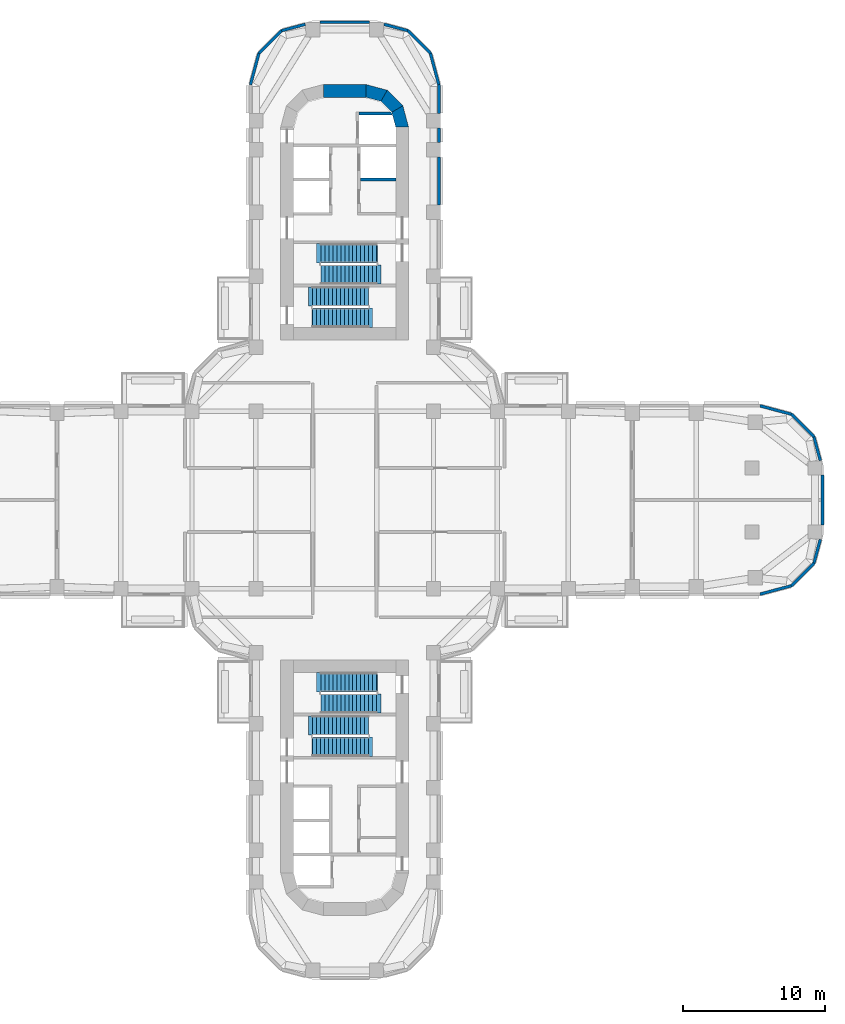
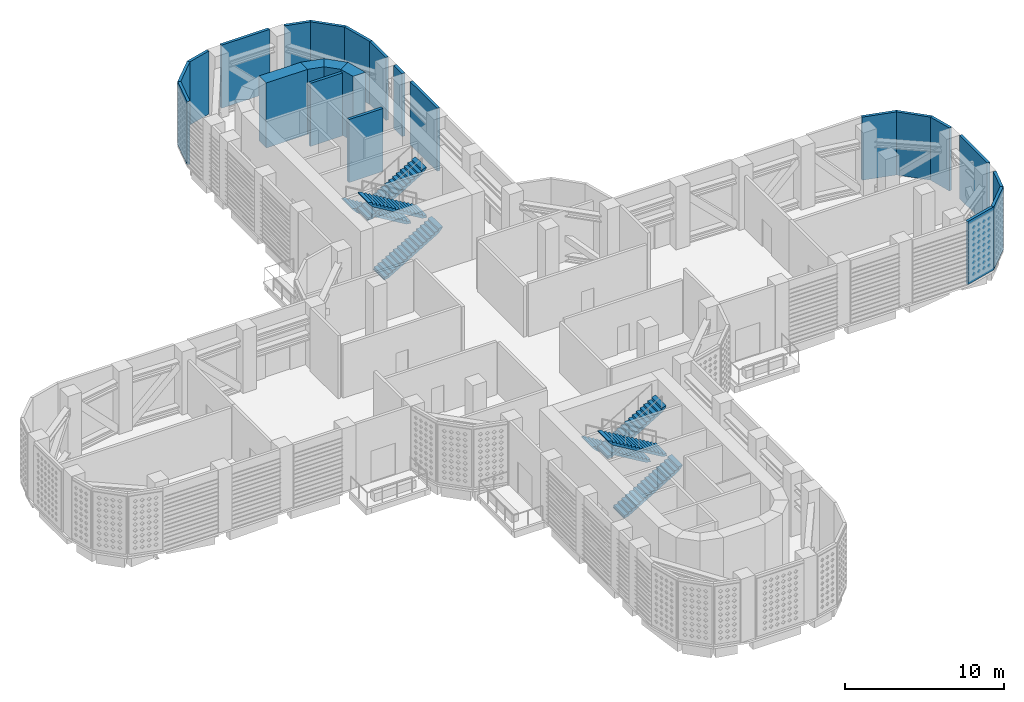
# One storey, part 8 of 20: 23 walls, 8 stair flights, 4 elements without a shape of their own.
"""IFC4 building model written with IfcOpenShell, lengths in metres."""

from ifc_helpers import new_model, si_unit, direction, frame, frame_2d, origin, place, context, subcontext, project, spatial, polyline, rectangle, outline, extrude, material, layer, layer_set, type_object, element, aggregate, save


model = new_model("IFC4")

# Units and contexts
model_context = context("Model", 3, precision=1e-05, world=origin(), true_north=direction((0.0, 1.0)))
body_context = subcontext(model_context, "Body", "Model", "MODEL_VIEW")
ifc_project = project(units=[si_unit("LENGTHUNIT", "METRE"), si_unit("AREAUNIT", "SQUARE_METRE"), si_unit("VOLUMEUNIT", "CUBIC_METRE"), si_unit("PLANEANGLEUNIT", "RADIAN"), si_unit("MASSUNIT", "GRAM", prefix="KILO")], contexts=[model_context])

# Site, building, storey
site_placement = place(None, origin())
site = spatial("IfcSite", under=ifc_project, at=site_placement, CompositionType="ELEMENT")
building_placement = place(site_placement, origin())
building = spatial("IfcBuilding", under=site, at=building_placement, Name="Zarbagh Exchange Tower", CompositionType="ELEMENT")
storey_placement = place(building_placement, frame((0.0, 0.0, 81.60009765625)))
storey = spatial("IfcBuildingStorey", under=building, at=storey_placement, Name="L18", CompositionType="ELEMENT", Elevation=81.60009765625)

# Walls
ifc_material_1 = material(Name="Precast concrete C50/60", Category="concrete")
ifc_layer_1 = layer(ifc_material_1, 0.199951171875)
ifc_layer_set_1 = layer_set([ifc_layer_1], Name="Plant wall, precast concrete C50/60")
wall_type_1 = type_object("IfcWallType", Name="Plant wall, precast concrete C50/60", PredefinedType="SOLIDWALL", material=ifc_layer_set_1)
wall_1_placement = place(storey_placement, origin())
element("IfcWall", 1, at=wall_1_placement, inside=storey, type_object=wall_type_1, Name="PW09 plant wall", PredefinedType="SOLIDWALL", context=body_context, shape_type="SweptSolid", body=[
    extrude(outline(polyline([(29.247314453125, -6.72998046875), (31.48974609375, -6.129150390625), (31.38623046875, -5.949951171875), (29.220947265625, -6.530029296875), (29.247314453125, -6.72998046875)])), origin(), (0.0, 0.0, 1.0), 4.849853515625),
])
wall_2_placement = place(storey_placement, origin())
element("IfcWall", 2, at=wall_2_placement, inside=storey, type_object=wall_type_1, Name="PW10 plant wall", PredefinedType="SOLIDWALL", context=body_context, shape_type="SweptSolid", body=[
    extrude(outline(polyline([(31.48974609375, -6.129150390625), (33.129150390625, -4.48974609375), (32.949951171875, -4.38623046875), (31.38623046875, -5.949951171875), (31.48974609375, -6.129150390625)])), origin(), (0.0, 0.0, 1.0), 4.849853515625),
])
wall_3_placement = place(storey_placement, origin())
element("IfcWall", 3, at=wall_3_placement, inside=storey, type_object=wall_type_1, Name="PW11 plant wall", PredefinedType="SOLIDWALL", context=body_context, shape_type="SweptSolid", body=[
    extrude(outline(polyline([(33.129150390625, -4.48974609375), (33.581298828125, -2.802490234375), (33.38818359375, -2.750732421875), (32.949951171875, -4.38623046875), (33.129150390625, -4.48974609375)])), origin(), (0.0, 0.0, 1.0), 4.849853515625),
])
wall_4_placement = place(storey_placement, origin())
element("IfcWall", 4, at=wall_4_placement, inside=storey, type_object=wall_type_1, Name="PW12 plant wall", PredefinedType="SOLIDWALL", context=body_context, shape_type="SweptSolid", body=[
    extrude(outline(polyline([(33.72998046875, -1.75), (33.72998046875, 1.75), (33.530029296875, 1.75), (33.530029296875, -1.75), (33.72998046875, -1.75)])), origin(), (0.0, 0.0, 1.0), 4.849853515625),
])
wall_5_placement = place(storey_placement, origin())
element("IfcWall", 5, at=wall_5_placement, inside=storey, type_object=wall_type_1, Name="PW13 plant wall", PredefinedType="SOLIDWALL", context=body_context, shape_type="SweptSolid", body=[
    extrude(outline(polyline([(33.581298828125, 2.80224609375), (33.129150390625, 4.48974609375), (32.949951171875, 4.38623046875), (33.38818359375, 2.75048828125), (33.581298828125, 2.80224609375)])), origin(), (0.0, 0.0, 1.0), 4.849853515625),
])
wall_6_placement = place(storey_placement, origin())
element("IfcWall", 6, at=wall_6_placement, inside=storey, type_object=wall_type_1, Name="PW14 plant wall", PredefinedType="SOLIDWALL", context=body_context, shape_type="SweptSolid", body=[
    extrude(outline(polyline([(33.129150390625, 4.48974609375), (31.48974609375, 6.129150390625), (31.38623046875, 5.949951171875), (32.949951171875, 4.38623046875), (33.129150390625, 4.48974609375)])), origin(), (0.0, 0.0, 1.0), 4.849853515625),
])
wall_7_placement = place(storey_placement, origin())
element("IfcWall", 7, at=wall_7_placement, inside=storey, type_object=wall_type_1, Name="PW15 plant wall", PredefinedType="SOLIDWALL", context=body_context, shape_type="SweptSolid", body=[
    extrude(outline(polyline([(31.48974609375, 6.129150390625), (29.247314453125, 6.72998046875), (29.220947265625, 6.530029296875), (31.38623046875, 5.949951171875), (31.48974609375, 6.129150390625)])), origin(), (0.0, 0.0, 1.0), 4.849853515625),
])
wall_8_placement = place(storey_placement, origin())
element("IfcWall", 8, at=wall_8_placement, inside=storey, type_object=wall_type_1, Name="PW20 plant wall", PredefinedType="SOLIDWALL", context=body_context, shape_type="SweptSolid", body=[
    extrude(outline(polyline([(6.72998046875, 20.75), (6.72998046875, 24.14990234375), (6.530029296875, 24.14990234375), (6.530029296875, 20.75), (6.72998046875, 20.75)])), origin(), (0.0, 0.0, 1.0), 4.849853515625),
])
wall_9_placement = place(storey_placement, origin())
element("IfcWall", 9, at=wall_9_placement, inside=storey, type_object=wall_type_1, Name="PW20 plant wall", PredefinedType="SOLIDWALL", context=body_context, shape_type="SweptSolid", body=[
    extrude(outline(polyline([(6.72998046875, 25.14990234375), (6.72998046875, 26.199951171875), (6.530029296875, 26.199951171875), (6.530029296875, 25.14990234375), (6.72998046875, 25.14990234375)])), origin(), (0.0, 0.0, 1.0), 4.849853515625),
])
wall_10_placement = place(storey_placement, origin())
element("IfcWall", 10, at=wall_10_placement, inside=storey, type_object=wall_type_1, Name="PW20 plant wall", PredefinedType="SOLIDWALL", context=body_context, shape_type="SweptSolid", body=[
    extrude(outline(polyline([(6.72998046875, 27.199951171875), (6.72998046875, 29.247314453125), (6.530029296875, 29.220947265625), (6.530029296875, 27.199951171875), (6.72998046875, 27.199951171875)])), origin(), (0.0, 0.0, 1.0), 4.849853515625),
])
wall_11_placement = place(storey_placement, origin())
element("IfcWall", 11, at=wall_11_placement, inside=storey, type_object=wall_type_1, Name="PW21 plant wall", PredefinedType="SOLIDWALL", context=body_context, shape_type="SweptSolid", body=[
    extrude(outline(polyline([(6.72998046875, 29.247314453125), (6.129150390625, 31.48974609375), (5.949951171875, 31.38623046875), (6.530029296875, 29.220947265625), (6.72998046875, 29.247314453125)])), origin(), (0.0, 0.0, 1.0), 4.849853515625),
])
wall_12_placement = place(storey_placement, origin())
element("IfcWall", 12, at=wall_12_placement, inside=storey, type_object=wall_type_1, Name="PW22 plant wall", PredefinedType="SOLIDWALL", context=body_context, shape_type="SweptSolid", body=[
    extrude(outline(polyline([(6.129150390625, 31.48974609375), (4.48974609375, 33.129150390625), (4.38623046875, 32.949951171875), (5.949951171875, 31.38623046875), (6.129150390625, 31.48974609375)])), origin(), (0.0, 0.0, 1.0), 4.849853515625),
])
wall_13_placement = place(storey_placement, origin())
element("IfcWall", 13, at=wall_13_placement, inside=storey, type_object=wall_type_1, Name="PW23 plant wall", PredefinedType="SOLIDWALL", context=body_context, shape_type="SweptSolid", body=[
    extrude(outline(polyline([(4.48974609375, 33.129150390625), (2.802490234375, 33.581298828125), (2.750732421875, 33.38818359375), (4.38623046875, 32.949951171875), (4.48974609375, 33.129150390625)])), origin(), (0.0, 0.0, 1.0), 4.849853515625),
])
wall_14_placement = place(storey_placement, origin())
element("IfcWall", 14, at=wall_14_placement, inside=storey, type_object=wall_type_1, Name="PW24 plant wall", PredefinedType="SOLIDWALL", context=body_context, shape_type="SweptSolid", body=[
    extrude(outline(polyline([(1.75, 33.72998046875), (-1.75, 33.72998046875), (-1.75, 33.530029296875), (1.75, 33.530029296875), (1.75, 33.72998046875)])), origin(), (0.0, 0.0, 1.0), 4.849853515625),
])
wall_15_placement = place(storey_placement, origin())
element("IfcWall", 15, at=wall_15_placement, inside=storey, type_object=wall_type_1, Name="PW25 plant wall", PredefinedType="SOLIDWALL", context=body_context, shape_type="SweptSolid", body=[
    extrude(outline(polyline([(-2.80224609375, 33.581298828125), (-4.48974609375, 33.129150390625), (-4.38623046875, 32.949951171875), (-2.75048828125, 33.38818359375), (-2.80224609375, 33.581298828125)])), origin(), (0.0, 0.0, 1.0), 4.849853515625),
])
wall_16_placement = place(storey_placement, origin())
element("IfcWall", 16, at=wall_16_placement, inside=storey, type_object=wall_type_1, Name="PW26 plant wall", PredefinedType="SOLIDWALL", context=body_context, shape_type="SweptSolid", body=[
    extrude(outline(polyline([(-4.48974609375, 33.129150390625), (-6.129150390625, 31.48974609375), (-5.949951171875, 31.38623046875), (-4.38623046875, 32.949951171875), (-4.48974609375, 33.129150390625)])), origin(), (0.0, 0.0, 1.0), 4.849853515625),
])
wall_17_placement = place(storey_placement, origin())
element("IfcWall", 17, at=wall_17_placement, inside=storey, type_object=wall_type_1, Name="PW27 plant wall", PredefinedType="SOLIDWALL", context=body_context, shape_type="SweptSolid", body=[
    extrude(outline(polyline([(-6.129150390625, 31.48974609375), (-6.72998046875, 29.247314453125), (-6.530029296875, 29.220947265625), (-5.949951171875, 31.38623046875), (-6.129150390625, 31.48974609375)])), origin(), (0.0, 0.0, 1.0), 4.849853515625),
])
ifc_material_2 = material(Name="Concrete C60/75", Category="concrete")
ifc_layer_2 = layer(ifc_material_2, 0.89990234375)
ifc_layer_set_2 = layer_set([ifc_layer_2], Name="RC core corner wall 900 C60/75")
wall_type_2 = type_object("IfcWallType", Name="RC core corner wall 900 C60/75", PredefinedType="SHEAR", material=ifc_layer_set_2)
wall_18_placement = place(storey_placement, origin())
element("IfcWall", 18, at=wall_18_placement, inside=storey, type_object=wall_type_2, Name="CW2 core N corner E", PredefinedType="SHEAR", context=body_context, shape_type="SweptSolid", body=[
    extrude(outline(polyline([(4.5, 26.25), (4.09814453125, 27.75), (3.318603515625, 27.300048828125), (3.60009765625, 26.25), (4.5, 26.25)])), origin(), (0.0, 0.0, 1.0), 5.0),
])
wall_19_placement = place(storey_placement, origin())
element("IfcWall", 19, at=wall_19_placement, inside=storey, type_object=wall_type_2, Name="CW2 core N corner E", PredefinedType="SHEAR", context=body_context, shape_type="SweptSolid", body=[
    extrude(outline(polyline([(4.09814453125, 27.75), (3.0, 28.84814453125), (2.550048828125, 28.068603515625), (3.318603515625, 27.300048828125), (4.09814453125, 27.75)])), origin(), (0.0, 0.0, 1.0), 5.0),
])
wall_20_placement = place(storey_placement, origin())
element("IfcWall", 20, at=wall_20_placement, inside=storey, type_object=wall_type_2, Name="CW2 core N corner E", PredefinedType="SHEAR", context=body_context, shape_type="SweptSolid", body=[
    extrude(outline(polyline([(3.0, 28.84814453125), (1.5, 29.25), (1.5, 28.35009765625), (2.550048828125, 28.068603515625), (3.0, 28.84814453125)])), origin(), (0.0, 0.0, 1.0), 5.0),
])
ifc_layer_3 = layer(ifc_material_2, 0.89990234375)
ifc_layer_set_3 = layer_set([ifc_layer_3], Name="RC core wall 900 C60/75")
wall_type_3 = type_object("IfcWallType", Name="RC core wall 900 C60/75", PredefinedType="SHEAR", material=ifc_layer_set_3)
wall_21_placement = place(storey_placement, frame((-1.5, 28.800048828125, 0.0), z_axis=(0.0, 0.0, 1.0), x_axis=(1.0, 0.0, 0.0)))
element("IfcWall", 21, at=wall_21_placement, inside=storey, type_object=wall_type_3, Name="CW1 core N outer end", PredefinedType="SHEAR", context=body_context, shape_type="SweptSolid", body=[
    extrude(rectangle(XDim=3.0, YDim=0.89990234375, at=frame_2d((1.5, 0.0))), origin(), (0.0, 0.0, 1.0), 5.0),
])
ifc_material_3 = material(Name="Dense blockwork", Category="masonry")
ifc_layer_4 = layer(ifc_material_3, 0.199951171875)
ifc_layer_set_4 = layer_set([ifc_layer_4], Name="Shaft wall 200 mm blockwork")
wall_type_4 = type_object("IfcWallType", Name="Shaft wall 200 mm blockwork", PredefinedType="PARTITIONING", material=ifc_layer_set_4)
wall_22_placement = place(storey_placement, frame((1.10009765625, 22.550048828125, 0.0), z_axis=(0.0, 0.0, 1.0), x_axis=(1.0, 0.0, 0.0)))
element("IfcWall", 22, at=wall_22_placement, inside=storey, type_object=wall_type_4, Name="North core shaft wall TR-E", PredefinedType="PARTITIONING", context=body_context, shape_type="SweptSolid", body=[
    extrude(rectangle(XDim=2.5, YDim=0.199951171875, at=frame_2d((1.25, 0.0))), origin(), (0.0, 0.0, 1.0), 4.849853515625),
])
ifc_material_4 = material(Name="Concrete C40/50", Category="concrete")
ifc_layer_5 = layer(ifc_material_4, 0.199951171875)
ifc_layer_set_5 = layer_set([ifc_layer_5], Name="Stair enclosure wall 200 mm RC C40/50")
wall_type_5 = type_object("IfcWallType", Name="Stair enclosure wall 200 mm RC C40/50", PredefinedType="SHEAR", material=ifc_layer_set_5)
wall_23_placement = place(storey_placement, origin())
element("IfcWall", 23, at=wall_23_placement, inside=storey, type_object=wall_type_5, Name="North core lift shaft wall FFX", PredefinedType="SHEAR", context=body_context, shape_type="SweptSolid", body=[
    extrude(outline(polyline([(1.0, 27.10009765625), (3.340576171875, 27.10009765625), (3.291259765625, 27.2841796875), (3.275390625, 27.300048828125), (1.0, 27.300048828125), (1.0, 27.10009765625)])), origin(), (0.0, 0.0, 1.0), 4.849853515625),
])

# Stair, stair flights
stair_type = type_object("IfcStairType", Name="Exit stair two-flight half-turn", PredefinedType="HALF_TURN_STAIR", material=ifc_material_4)
stair_1_placement = place(storey_placement, origin())
stair_1 = element("IfcStair", 24, at=stair_1_placement, inside=storey, type_object=stair_type, Name="exit stair ST1", PredefinedType="HALF_TURN_STAIR")
stair_flight_type = type_object("IfcStairFlightType", Name="Stair flight 1350 mm", PredefinedType="STRAIGHT", material=ifc_material_4)
stair_flight_1_placement = place(storey_placement, frame((2.25, 17.375, 0.0), z_axis=(0.0, 0.0, 1.0), x_axis=(-1.0, 0.0, 0.0)))
stair_flight_1 = element("IfcStairFlight", 25, at=stair_flight_1_placement, type_object=stair_flight_type, Name="ST1 flight 1", NumberOfRisers=15, NumberOfTreads=14, PredefinedType="STRAIGHT", RiserHeight=0.166666667, TreadLength=0.28, context=body_context, shape_type="SweptSolid", body=[
    extrude(outline(polyline([(-0.050048828125, -0.050048828125), (-0.050048828125, 0.0), (0.0, 0.0), (0.0, 0.166748046875), (0.280029296875, 0.166748046875), (0.280029296875, 0.333251953125), (0.56005859375, 0.333251953125), (0.56005859375, 0.5), (0.840087890625, 0.5), (0.840087890625, 0.666748046875), (1.1201171875, 0.666748046875), (1.1201171875, 0.833251953125), (1.39990234375, 0.833251953125), (1.39990234375, 1.0), (1.679931640625, 1.0), (1.679931640625, 1.166748046875), (1.9599609375, 1.166748046875), (1.9599609375, 1.333251953125), (2.239990234375, 1.333251953125), (2.239990234375, 1.5), (2.52001953125, 1.5), (2.52001953125, 1.666748046875), (2.800048828125, 1.666748046875), (2.800048828125, 1.833251953125), (3.080078125, 1.833251953125), (3.080078125, 2.0), (3.360107421875, 2.0), (3.360107421875, 2.166748046875), (3.639892578125, 2.166748046875), (3.639892578125, 2.333251953125), (3.919921875, 2.333251953125), (3.919921875, 2.5), (4.219970703125, 2.580078125), (4.219970703125, 2.5), (3.919921875, 2.158935546875), (0.29296875, 0.0), (-0.050048828125, -0.050048828125)])), frame((0.0, 0.675048828125, 0.0), z_axis=(0.0, -1.0, 0.0), x_axis=(1.0, 0.0, 0.0)), (0.0, 0.0, 1.0), 1.35009765625),
])
stair_flight_2_placement = place(storey_placement, frame((-1.669921875, 15.875, 2.5), z_axis=(0.0, 0.0, 1.0), x_axis=(1.0, 0.0, 0.0)))
stair_flight_2 = element("IfcStairFlight", 26, at=stair_flight_2_placement, type_object=stair_flight_type, Name="ST1 flight 2", NumberOfRisers=15, NumberOfTreads=14, PredefinedType="STRAIGHT", RiserHeight=0.166666667, TreadLength=0.28, context=body_context, shape_type="SweptSolid", body=[
    extrude(outline(polyline([(-0.050048828125, -0.050048828125), (-0.050048828125, 0.0), (0.0, 0.0), (0.0, 0.166748046875), (0.280029296875, 0.166748046875), (0.280029296875, 0.333251953125), (0.56005859375, 0.333251953125), (0.56005859375, 0.5), (0.840087890625, 0.5), (0.840087890625, 0.666748046875), (1.1201171875, 0.666748046875), (1.1201171875, 0.833251953125), (1.39990234375, 0.833251953125), (1.39990234375, 1.0), (1.679931640625, 1.0), (1.679931640625, 1.166748046875), (1.9599609375, 1.166748046875), (1.9599609375, 1.333251953125), (2.239990234375, 1.333251953125), (2.239990234375, 1.5), (2.52001953125, 1.5), (2.52001953125, 1.666748046875), (2.800048828125, 1.666748046875), (2.800048828125, 1.833251953125), (3.080078125, 1.833251953125), (3.080078125, 2.0), (3.360107421875, 2.0), (3.360107421875, 2.166748046875), (3.639892578125, 2.166748046875), (3.639892578125, 2.333251953125), (3.919921875, 2.333251953125), (3.919921875, 2.5), (4.219970703125, 2.580078125), (4.219970703125, 2.5), (3.919921875, 2.158935546875), (0.29296875, 0.0), (-0.050048828125, -0.050048828125)])), frame((0.0, 0.675048828125, 0.0), z_axis=(0.0, -1.0, 0.0), x_axis=(1.0, 0.0, 0.0)), (0.0, 0.0, 1.0), 1.35009765625),
])
aggregate(stair_1, [stair_flight_1, stair_flight_2])

stair_2_placement = place(storey_placement, origin())
stair_2 = element("IfcStair", 27, at=stair_2_placement, inside=storey, type_object=stair_type, Name="exit stair ST2", PredefinedType="HALF_TURN_STAIR")
stair_flight_3_placement = place(storey_placement, frame((-2.25, 12.824951171875, 0.0), z_axis=(0.0, 0.0, 1.0), x_axis=(1.0, 0.0, 0.0)))
stair_flight_3 = element("IfcStairFlight", 28, at=stair_flight_3_placement, type_object=stair_flight_type, Name="ST2 flight 1", NumberOfRisers=15, NumberOfTreads=14, PredefinedType="STRAIGHT", RiserHeight=0.166666667, TreadLength=0.28, context=body_context, shape_type="SweptSolid", body=[
    extrude(outline(polyline([(-0.050048828125, -0.050048828125), (-0.050048828125, 0.0), (0.0, 0.0), (0.0, 0.166748046875), (0.280029296875, 0.166748046875), (0.280029296875, 0.333251953125), (0.56005859375, 0.333251953125), (0.56005859375, 0.5), (0.840087890625, 0.5), (0.840087890625, 0.666748046875), (1.1201171875, 0.666748046875), (1.1201171875, 0.833251953125), (1.39990234375, 0.833251953125), (1.39990234375, 1.0), (1.679931640625, 1.0), (1.679931640625, 1.166748046875), (1.9599609375, 1.166748046875), (1.9599609375, 1.333251953125), (2.239990234375, 1.333251953125), (2.239990234375, 1.5), (2.52001953125, 1.5), (2.52001953125, 1.666748046875), (2.800048828125, 1.666748046875), (2.800048828125, 1.833251953125), (3.080078125, 1.833251953125), (3.080078125, 2.0), (3.360107421875, 2.0), (3.360107421875, 2.166748046875), (3.639892578125, 2.166748046875), (3.639892578125, 2.333251953125), (3.919921875, 2.333251953125), (3.919921875, 2.5), (4.219970703125, 2.580078125), (4.219970703125, 2.5), (3.919921875, 2.158935546875), (0.29296875, 0.0), (-0.050048828125, -0.050048828125)])), frame((0.0, 0.675048828125, 0.0), z_axis=(0.0, -1.0, 0.0), x_axis=(1.0, 0.0, 0.0)), (0.0, 0.0, 1.0), 1.35009765625),
])
stair_flight_4_placement = place(storey_placement, frame((1.669921875, 14.324951171875, 2.5), z_axis=(0.0, 0.0, 1.0), x_axis=(-1.0, 0.0, 0.0)))
stair_flight_4 = element("IfcStairFlight", 29, at=stair_flight_4_placement, type_object=stair_flight_type, Name="ST2 flight 2", NumberOfRisers=15, NumberOfTreads=14, PredefinedType="STRAIGHT", RiserHeight=0.166666667, TreadLength=0.28, context=body_context, shape_type="SweptSolid", body=[
    extrude(outline(polyline([(-0.050048828125, -0.050048828125), (-0.050048828125, 0.0), (0.0, 0.0), (0.0, 0.166748046875), (0.280029296875, 0.166748046875), (0.280029296875, 0.333251953125), (0.56005859375, 0.333251953125), (0.56005859375, 0.5), (0.840087890625, 0.5), (0.840087890625, 0.666748046875), (1.1201171875, 0.666748046875), (1.1201171875, 0.833251953125), (1.39990234375, 0.833251953125), (1.39990234375, 1.0), (1.679931640625, 1.0), (1.679931640625, 1.166748046875), (1.9599609375, 1.166748046875), (1.9599609375, 1.333251953125), (2.239990234375, 1.333251953125), (2.239990234375, 1.5), (2.52001953125, 1.5), (2.52001953125, 1.666748046875), (2.800048828125, 1.666748046875), (2.800048828125, 1.833251953125), (3.080078125, 1.833251953125), (3.080078125, 2.0), (3.360107421875, 2.0), (3.360107421875, 2.166748046875), (3.639892578125, 2.166748046875), (3.639892578125, 2.333251953125), (3.919921875, 2.333251953125), (3.919921875, 2.5), (4.219970703125, 2.580078125), (4.219970703125, 2.5), (3.919921875, 2.158935546875), (0.29296875, 0.0), (-0.050048828125, -0.050048828125)])), frame((0.0, 0.675048828125, 0.0), z_axis=(0.0, -1.0, 0.0), x_axis=(1.0, 0.0, 0.0)), (0.0, 0.0, 1.0), 1.35009765625),
])
aggregate(stair_2, [stair_flight_3, stair_flight_4])

stair_3_placement = place(storey_placement, origin())
stair_3 = element("IfcStair", 30, at=stair_3_placement, inside=storey, type_object=stair_type, Name="exit stair ST3", PredefinedType="HALF_TURN_STAIR")
stair_flight_5_placement = place(storey_placement, frame((-2.25, -17.375, 0.0), z_axis=(0.0, 0.0, 1.0), x_axis=(1.0, 0.0, 0.0)))
stair_flight_5 = element("IfcStairFlight", 31, at=stair_flight_5_placement, type_object=stair_flight_type, Name="ST3 flight 1", NumberOfRisers=15, NumberOfTreads=14, PredefinedType="STRAIGHT", RiserHeight=0.166666667, TreadLength=0.28, context=body_context, shape_type="SweptSolid", body=[
    extrude(outline(polyline([(-0.050048828125, -0.050048828125), (-0.050048828125, 0.0), (0.0, 0.0), (0.0, 0.166748046875), (0.280029296875, 0.166748046875), (0.280029296875, 0.333251953125), (0.56005859375, 0.333251953125), (0.56005859375, 0.5), (0.840087890625, 0.5), (0.840087890625, 0.666748046875), (1.1201171875, 0.666748046875), (1.1201171875, 0.833251953125), (1.39990234375, 0.833251953125), (1.39990234375, 1.0), (1.679931640625, 1.0), (1.679931640625, 1.166748046875), (1.9599609375, 1.166748046875), (1.9599609375, 1.333251953125), (2.239990234375, 1.333251953125), (2.239990234375, 1.5), (2.52001953125, 1.5), (2.52001953125, 1.666748046875), (2.800048828125, 1.666748046875), (2.800048828125, 1.833251953125), (3.080078125, 1.833251953125), (3.080078125, 2.0), (3.360107421875, 2.0), (3.360107421875, 2.166748046875), (3.639892578125, 2.166748046875), (3.639892578125, 2.333251953125), (3.919921875, 2.333251953125), (3.919921875, 2.5), (4.219970703125, 2.580078125), (4.219970703125, 2.5), (3.919921875, 2.158935546875), (0.29296875, 0.0), (-0.050048828125, -0.050048828125)])), frame((0.0, 0.675048828125, 0.0), z_axis=(0.0, -1.0, 0.0), x_axis=(1.0, 0.0, 0.0)), (0.0, 0.0, 1.0), 1.35009765625),
])
stair_flight_6_placement = place(storey_placement, frame((1.669921875, -15.875, 2.5), z_axis=(0.0, 0.0, 1.0), x_axis=(-1.0, 0.0, 0.0)))
stair_flight_6 = element("IfcStairFlight", 32, at=stair_flight_6_placement, type_object=stair_flight_type, Name="ST3 flight 2", NumberOfRisers=15, NumberOfTreads=14, PredefinedType="STRAIGHT", RiserHeight=0.166666667, TreadLength=0.28, context=body_context, shape_type="SweptSolid", body=[
    extrude(outline(polyline([(-0.050048828125, -0.050048828125), (-0.050048828125, 0.0), (0.0, 0.0), (0.0, 0.166748046875), (0.280029296875, 0.166748046875), (0.280029296875, 0.333251953125), (0.56005859375, 0.333251953125), (0.56005859375, 0.5), (0.840087890625, 0.5), (0.840087890625, 0.666748046875), (1.1201171875, 0.666748046875), (1.1201171875, 0.833251953125), (1.39990234375, 0.833251953125), (1.39990234375, 1.0), (1.679931640625, 1.0), (1.679931640625, 1.166748046875), (1.9599609375, 1.166748046875), (1.9599609375, 1.333251953125), (2.239990234375, 1.333251953125), (2.239990234375, 1.5), (2.52001953125, 1.5), (2.52001953125, 1.666748046875), (2.800048828125, 1.666748046875), (2.800048828125, 1.833251953125), (3.080078125, 1.833251953125), (3.080078125, 2.0), (3.360107421875, 2.0), (3.360107421875, 2.166748046875), (3.639892578125, 2.166748046875), (3.639892578125, 2.333251953125), (3.919921875, 2.333251953125), (3.919921875, 2.5), (4.219970703125, 2.580078125), (4.219970703125, 2.5), (3.919921875, 2.158935546875), (0.29296875, 0.0), (-0.050048828125, -0.050048828125)])), frame((0.0, 0.675048828125, 0.0), z_axis=(0.0, -1.0, 0.0), x_axis=(1.0, 0.0, 0.0)), (0.0, 0.0, 1.0), 1.35009765625),
])
aggregate(stair_3, [stair_flight_5, stair_flight_6])

stair_4_placement = place(storey_placement, origin())
stair_4 = element("IfcStair", 33, at=stair_4_placement, inside=storey, type_object=stair_type, Name="exit stair ST4", PredefinedType="HALF_TURN_STAIR")
stair_flight_7_placement = place(storey_placement, frame((2.25, -12.824951171875, 0.0), z_axis=(0.0, 0.0, 1.0), x_axis=(-1.0, 0.0, 0.0)))
stair_flight_7 = element("IfcStairFlight", 34, at=stair_flight_7_placement, type_object=stair_flight_type, Name="ST4 flight 1", NumberOfRisers=15, NumberOfTreads=14, PredefinedType="STRAIGHT", RiserHeight=0.166666667, TreadLength=0.28, context=body_context, shape_type="SweptSolid", body=[
    extrude(outline(polyline([(-0.050048828125, -0.050048828125), (-0.050048828125, 0.0), (0.0, 0.0), (0.0, 0.166748046875), (0.280029296875, 0.166748046875), (0.280029296875, 0.333251953125), (0.56005859375, 0.333251953125), (0.56005859375, 0.5), (0.840087890625, 0.5), (0.840087890625, 0.666748046875), (1.1201171875, 0.666748046875), (1.1201171875, 0.833251953125), (1.39990234375, 0.833251953125), (1.39990234375, 1.0), (1.679931640625, 1.0), (1.679931640625, 1.166748046875), (1.9599609375, 1.166748046875), (1.9599609375, 1.333251953125), (2.239990234375, 1.333251953125), (2.239990234375, 1.5), (2.52001953125, 1.5), (2.52001953125, 1.666748046875), (2.800048828125, 1.666748046875), (2.800048828125, 1.833251953125), (3.080078125, 1.833251953125), (3.080078125, 2.0), (3.360107421875, 2.0), (3.360107421875, 2.166748046875), (3.639892578125, 2.166748046875), (3.639892578125, 2.333251953125), (3.919921875, 2.333251953125), (3.919921875, 2.5), (4.219970703125, 2.580078125), (4.219970703125, 2.5), (3.919921875, 2.158935546875), (0.29296875, 0.0), (-0.050048828125, -0.050048828125)])), frame((0.0, 0.675048828125, 0.0), z_axis=(0.0, -1.0, 0.0), x_axis=(1.0, 0.0, 0.0)), (0.0, 0.0, 1.0), 1.35009765625),
])
stair_flight_8_placement = place(storey_placement, frame((-1.669921875, -14.324951171875, 2.5), z_axis=(0.0, 0.0, 1.0), x_axis=(1.0, 0.0, 0.0)))
stair_flight_8 = element("IfcStairFlight", 35, at=stair_flight_8_placement, type_object=stair_flight_type, Name="ST4 flight 2", NumberOfRisers=15, NumberOfTreads=14, PredefinedType="STRAIGHT", RiserHeight=0.166666667, TreadLength=0.28, context=body_context, shape_type="SweptSolid", body=[
    extrude(outline(polyline([(-0.050048828125, -0.050048828125), (-0.050048828125, 0.0), (0.0, 0.0), (0.0, 0.166748046875), (0.280029296875, 0.166748046875), (0.280029296875, 0.333251953125), (0.56005859375, 0.333251953125), (0.56005859375, 0.5), (0.840087890625, 0.5), (0.840087890625, 0.666748046875), (1.1201171875, 0.666748046875), (1.1201171875, 0.833251953125), (1.39990234375, 0.833251953125), (1.39990234375, 1.0), (1.679931640625, 1.0), (1.679931640625, 1.166748046875), (1.9599609375, 1.166748046875), (1.9599609375, 1.333251953125), (2.239990234375, 1.333251953125), (2.239990234375, 1.5), (2.52001953125, 1.5), (2.52001953125, 1.666748046875), (2.800048828125, 1.666748046875), (2.800048828125, 1.833251953125), (3.080078125, 1.833251953125), (3.080078125, 2.0), (3.360107421875, 2.0), (3.360107421875, 2.166748046875), (3.639892578125, 2.166748046875), (3.639892578125, 2.333251953125), (3.919921875, 2.333251953125), (3.919921875, 2.5), (4.219970703125, 2.580078125), (4.219970703125, 2.5), (3.919921875, 2.158935546875), (0.29296875, 0.0), (-0.050048828125, -0.050048828125)])), frame((0.0, 0.675048828125, 0.0), z_axis=(0.0, -1.0, 0.0), x_axis=(1.0, 0.0, 0.0)), (0.0, 0.0, 1.0), 1.35009765625),
])
aggregate(stair_4, [stair_flight_7, stair_flight_8])

save(model, "model.ifc")
